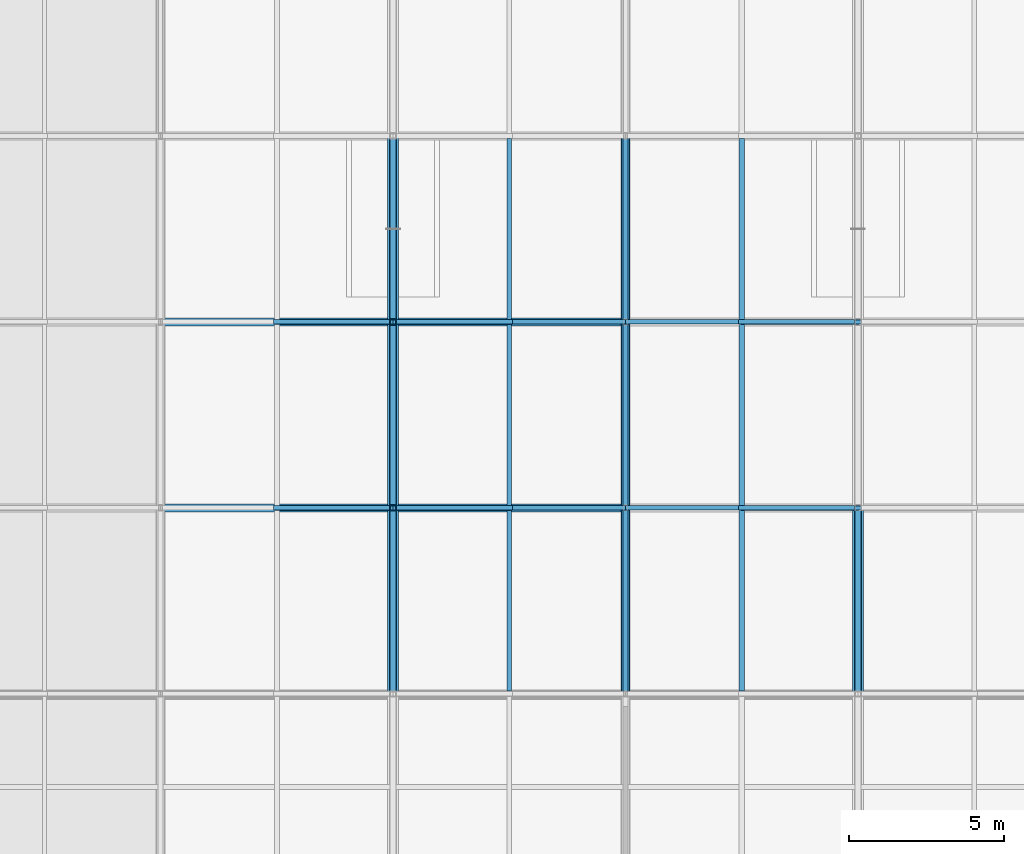
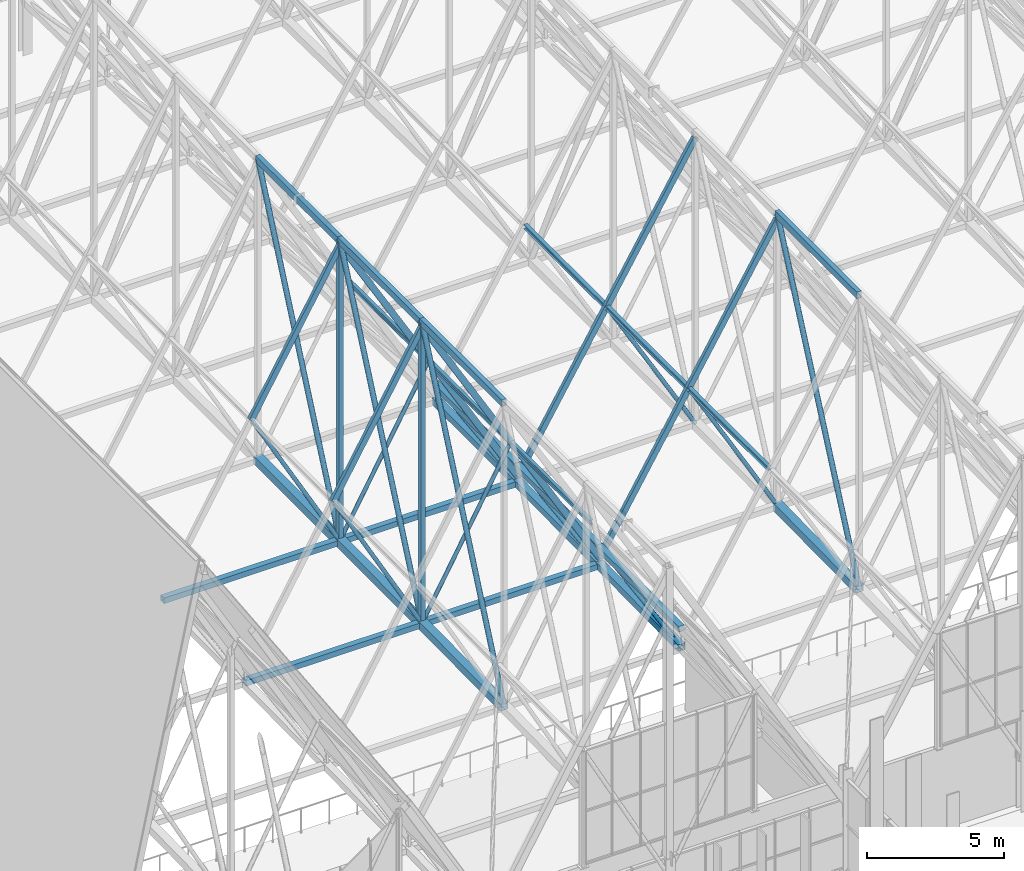
# One storey, part 147 of 324: 41 members, 6 beams.
"""IFC4 building model written with IfcOpenShell, lengths in metres."""

from ifc_helpers import new_model, si_unit, direction, frame, origin, origin_2d, place, context, subcontext, project, spatial, hollow_rectangle, hollow_circle, i_section, extrude, material, material_profile, profile_set, type_object, element, save


model = new_model("IFC4")

# Units and contexts
model_context = context("Model", 3, precision=1e-05, world=origin(), true_north=direction((0.0, 1.0)))
body_context = subcontext(model_context, "Body", "Model", "MODEL_VIEW")
ifc_project = project(units=[si_unit("LENGTHUNIT", "METRE"), si_unit("AREAUNIT", "SQUARE_METRE"), si_unit("VOLUMEUNIT", "CUBIC_METRE"), si_unit("PLANEANGLEUNIT", "RADIAN"), si_unit("MASSUNIT", "GRAM", prefix="KILO")], contexts=[model_context])

# Site, building, storey
site_placement = place(None, origin())
site = spatial("IfcSite", under=ifc_project, at=site_placement, CompositionType="ELEMENT")
building_placement = place(site_placement, origin())
building = spatial("IfcBuilding", under=site, at=building_placement, Name="Solvenia Promenade Tram Depot", CompositionType="ELEMENT")
storey_placement = place(building_placement, frame((0.0, 0.0, 4.5)))
storey = spatial("IfcBuildingStorey", under=building, at=storey_placement, Name="L01", CompositionType="ELEMENT", Elevation=4.5)

# Members
ifc_material_1 = material(Name="Structural steel ASTM A500 Gr. C", Category="steel")
ifc_material_profile_1 = material_profile(ifc_material_1, hollow_circle(Radius=0.109619140625, WallThickness=0.008056640625, at=origin_2d()), Name="CHS219.1x8", Category="steel")
ifc_profile_set_1 = profile_set([ifc_material_profile_1], Name="Structural steel ASTM A500 Gr. C")
member_type_1 = type_object("IfcMemberType", Name="Brace-CHS219x8", PredefinedType="BRACE", material=ifc_profile_set_1)
member_1_placement = place(storey_placement, frame((97.5, 78.0, 2.5439453125), z_axis=(0.0, 0.40503717219, 0.914300218279), x_axis=(-1.0, 0.0, 0.0)))
element("IfcMember", 1, at=member_1_placement, inside=storey, type_object=member_type_1, Name="Arched Truss T14 Web Diagonal S03", PredefinedType="BRACE", context=body_context, shape_type="SweptSolid", body=[
    extrude(hollow_circle(Radius=0.109619140625, WallThickness=0.008056640625, at=origin_2d()), origin(), (0.0, 0.0, 1.0), 14.8134765625),
])
member_2_placement = place(storey_placement, frame((97.5, 84.0, 2.614013671875), z_axis=(0.0, 0.406795685275, 0.913519168076), x_axis=(-1.0, 0.0, 0.0)))
element("IfcMember", 2, at=member_2_placement, inside=storey, type_object=member_type_1, Name="Arched Truss T14 Web Diagonal S04", PredefinedType="BRACE", context=body_context, shape_type="SweptSolid", body=[
    extrude(hollow_circle(Radius=0.109619140625, WallThickness=0.008056640625, at=origin_2d()), origin(), (0.0, 0.0, 1.0), 14.74951171875),
])
member_3_placement = place(storey_placement, frame((97.5, 90.0, 2.656005859375), z_axis=(0.0, 0.40785617385, 0.913046188017), x_axis=(-1.0, 0.0, 0.0)))
element("IfcMember", 3, at=member_3_placement, inside=storey, type_object=member_type_1, Name="Arched Truss T14 Web Diagonal S05", PredefinedType="BRACE", context=body_context, shape_type="SweptSolid", body=[
    extrude(hollow_circle(Radius=0.109619140625, WallThickness=0.008056640625, at=origin_2d()), origin(), (0.0, 0.0, 1.0), 14.711181640625),
])
member_4_placement = place(storey_placement, frame((112.5, 78.0, 2.5439453125), z_axis=(0.0, 0.416336188857, 0.909210744464), x_axis=(-1.0, 0.0, 0.0)))
element("IfcMember", 4, at=member_4_placement, inside=storey, type_object=member_type_1, Name="Arched Truss T16 Web Diagonal S03", PredefinedType="BRACE", context=body_context, shape_type="SweptSolid", body=[
    extrude(hollow_circle(Radius=0.109619140625, WallThickness=0.008056640625, at=origin_2d()), origin(), (0.0, 0.0, 1.0), 14.411376953125),
])
ifc_material_profile_2 = material_profile(ifc_material_1, hollow_rectangle(XDim=0.14990234375, YDim=0.25, WallThickness=0.010009765625, at=origin_2d()), Name="HSS250x150x10", Category="steel")
ifc_profile_set_2 = profile_set([ifc_material_profile_2], Name="Structural steel ASTM A500 Gr. C")
member_type_2 = type_object("IfcMemberType", Name="Chord-HSS250x150x10", PredefinedType="CHORD", material=ifc_profile_set_2)
for number, where, z_axis, x_axis, name in (
    (5, (93.75, 84.0, 9.39013671875), (0.501516268578, 0.0, 0.865148214095), (0.0, 1.0, 0.0), "Zigzag Gable 07 West Upper Rafter"),
    (6, (97.5, 84.0, 15.859130859375), (0.501516268578, 0.0, -0.865148214095), (0.0, 1.0, 0.0), "Zigzag Gable 07 East Upper Rafter"),
    (7, (101.25, 84.0, 9.39013671875), (0.501516268578, 0.0, -0.865148214095), (0.0, 1.0, 0.0), "Zigzag Gable 07 East Lower Rafter"),
    (8, (93.75, 90.0, 9.39013671875), (0.501516268578, 0.0, 0.865148214095), (0.0, 1.0, 0.0), "Zigzag Gable 07 West Upper Rafter"),
    (9, (97.5, 90.0, 15.859130859375), (0.501516268578, 0.0, -0.865148214095), (0.0, 1.0, 0.0), "Zigzag Gable 07 East Upper Rafter"),
    (10, (101.25, 90.0, 9.39013671875), (0.501516268578, 0.0, -0.865148214095), (0.0, 1.0, 0.0), "Zigzag Gable 07 East Lower Rafter"),
):
    element("IfcMember", number, at=place(storey_placement, frame(where, z_axis=z_axis, x_axis=x_axis)), inside=storey, type_object=member_type_2, Name=name, PredefinedType="CHORD", context=body_context, shape_type="SweptSolid", body=[
        extrude(hollow_rectangle(XDim=0.14990234375, YDim=0.25, WallThickness=0.010009765625, at=origin_2d()), origin(), (0.0, 0.0, 1.0), 7.477294921875),
    ])
for number, where, z_axis, x_axis, name in (
    (11, (105.0, 84.0, 2.93017578125), (0.514584433357, 0.0, 0.857439712718), (0.0, 1.0, 0.0), "Zigzag Gable 08 West Lower Rafter"),
    (12, (108.75, 84.0, 9.1787109375), (0.514584433357, 0.0, 0.857439712718), (0.0, 1.0, 0.0), "Zigzag Gable 08 West Upper Rafter"),
    (13, (105.0, 90.0, 2.93017578125), (0.514584433357, 0.0, 0.857439712718), (0.0, 1.0, 0.0), "Zigzag Gable 08 West Lower Rafter"),
    (14, (108.75, 90.0, 9.1787109375), (0.514584433357, 0.0, 0.857439712718), (0.0, 1.0, 0.0), "Zigzag Gable 08 West Upper Rafter"),
):
    element("IfcMember", number, at=place(storey_placement, frame(where, z_axis=z_axis, x_axis=x_axis)), inside=storey, type_object=member_type_2, Name=name, PredefinedType="CHORD", context=body_context, shape_type="SweptSolid", body=[
        extrude(hollow_rectangle(XDim=0.14990234375, YDim=0.25, WallThickness=0.010009765625, at=origin_2d()), origin(), (0.0, 0.0, 1.0), 7.287353515625),
    ])
ifc_material_profile_3 = material_profile(ifc_material_1, hollow_rectangle(XDim=0.25, YDim=0.25, WallThickness=0.010009765625, at=origin_2d()), Name="HSS250x250x10", Category="steel")
ifc_profile_set_3 = profile_set([ifc_material_profile_3], Name="Structural steel ASTM A500 Gr. C")
member_type_3 = type_object("IfcMemberType", Name="Chord-HSS250x250x10", PredefinedType="CHORD", material=ifc_profile_set_3)
for number, where, z_axis, x_axis, name in (
    (15, (105.0, 78.0, 3.3798828125), (0.0, 1.0, 0.0), (-1.0, 0.0, 0.0), "Arched Truss T15 Upper Chord S03"),
    (16, (105.0, 84.0, 3.3798828125), (0.0, 1.0, 0.0), (-1.0, 0.0, 0.0), "Arched Truss T15 Upper Chord S04"),
    (17, (105.0, 90.0, 3.3798828125), (0.0, 1.0, 0.0), (-1.0, 0.0, 0.0), "Arched Truss T15 Upper Chord S05"),
):
    element("IfcMember", number, at=place(storey_placement, frame(where, z_axis=z_axis, x_axis=x_axis)), inside=storey, type_object=member_type_3, Name=name, PredefinedType="CHORD", context=body_context, shape_type="SweptSolid", body=[
        extrude(hollow_rectangle(XDim=0.25, YDim=0.25, WallThickness=0.010009765625, at=origin_2d()), origin(), (0.0, 0.0, 1.0), 6.0),
    ])
for number, where, z_axis, x_axis, name in (
    (18, (90.0, 84.0, 2.614013671875), (1.0, 0.0, 0.0), (0.0, 1.0, 0.0), "Bottom-Chord Catenary Lateral Tie 057"),
    (19, (90.0, 90.0, 2.656005859375), (1.0, 0.0, 0.0), (0.0, 1.0, 0.0), "Bottom-Chord Catenary Lateral Tie 058"),
):
    element("IfcMember", number, at=place(storey_placement, frame(where, z_axis=z_axis, x_axis=x_axis)), inside=storey, type_object=member_type_3, Name=name, PredefinedType="CHORD", context=body_context, shape_type="SweptSolid", body=[
        extrude(hollow_rectangle(XDim=0.25, YDim=0.25, WallThickness=0.010009765625, at=origin_2d()), origin(), (0.0, 0.0, 1.0), 15.0),
    ])
ifc_material_profile_4 = material_profile(ifc_material_1, hollow_rectangle(XDim=0.199951171875, YDim=0.300048828125, WallThickness=0.012451171875, at=origin_2d()), Name="HSS300x200x12.5", Category="steel")
ifc_profile_set_4 = profile_set([ifc_material_profile_4], Name="Structural steel ASTM A500 Gr. C")
member_type_4 = type_object("IfcMemberType", Name="Chord-HSS300x200x12", PredefinedType="CHORD", material=ifc_profile_set_4)
for number, where, z_axis, x_axis, name in (
    (20, (97.5, 78.0, 16.087890625), (0.0, 1.0, 0.0), (-1.0, 0.0, 0.0), "Arched Truss T14 Upper Chord S03"),
    (21, (97.5, 84.0, 16.087890625), (0.0, 1.0, 0.0), (-1.0, 0.0, 0.0), "Arched Truss T14 Upper Chord S04"),
    (22, (97.5, 90.0, 16.087890625), (0.0, 1.0, 0.0), (-1.0, 0.0, 0.0), "Arched Truss T14 Upper Chord S05"),
    (23, (112.5, 78.0, 15.64697265625), (0.0, 1.0, 0.0), (-1.0, 0.0, 0.0), "Arched Truss T16 Upper Chord S03"),
):
    element("IfcMember", number, at=place(storey_placement, frame(where, z_axis=z_axis, x_axis=x_axis)), inside=storey, type_object=member_type_4, Name=name, PredefinedType="CHORD", context=body_context, shape_type="SweptSolid", body=[
        extrude(hollow_rectangle(XDim=0.199951171875, YDim=0.300048828125, WallThickness=0.012451171875, at=origin_2d()), origin(), (0.0, 0.0, 1.0), 6.0),
    ])
ifc_material_profile_5 = material_profile(ifc_material_1, hollow_rectangle(XDim=0.300048828125, YDim=0.300048828125, WallThickness=0.012451171875, at=origin_2d()), Name="HSS300x300x12.5", Category="steel")
ifc_profile_set_5 = profile_set([ifc_material_profile_5], Name="Structural steel ASTM A500 Gr. C")
member_type_5 = type_object("IfcMemberType", Name="Chord-HSS300x300x12", PredefinedType="CHORD", material=ifc_profile_set_5)
member_5_placement = place(storey_placement, frame((105.0, 78.0, 2.5439453125), z_axis=(0.0, 0.999931818432, 0.011677263667), x_axis=(-1.0, 0.0, 0.0)))
element("IfcMember", 24, at=member_5_placement, inside=storey, type_object=member_type_5, Name="Arched Truss T15 Bottom Chord S03", PredefinedType="CHORD", context=body_context, shape_type="SweptSolid", body=[
    extrude(hollow_rectangle(XDim=0.300048828125, YDim=0.300048828125, WallThickness=0.012451171875, at=origin_2d()), origin(), (0.0, 0.0, 1.0), 6.00048828125),
])
member_6_placement = place(storey_placement, frame((105.0, 84.0, 2.614013671875), z_axis=(0.0, 0.999975510013, 0.006998526519), x_axis=(-1.0, 0.0, 0.0)))
element("IfcMember", 25, at=member_6_placement, inside=storey, type_object=member_type_5, Name="Arched Truss T15 Bottom Chord S04", PredefinedType="CHORD", context=body_context, shape_type="SweptSolid", body=[
    extrude(hollow_rectangle(XDim=0.300048828125, YDim=0.300048828125, WallThickness=0.012451171875, at=origin_2d()), origin(), (0.0, 0.0, 1.0), 6.000244140625),
])
member_7_placement = place(storey_placement, frame((105.0, 90.0, 2.656005859375), z_axis=(0.0, 0.999997310351, 0.002319329699), x_axis=(-1.0, 0.0, 0.0)))
element("IfcMember", 26, at=member_7_placement, inside=storey, type_object=member_type_5, Name="Arched Truss T15 Bottom Chord S05", PredefinedType="CHORD", context=body_context, shape_type="SweptSolid", body=[
    extrude(hollow_rectangle(XDim=0.300048828125, YDim=0.300048828125, WallThickness=0.012451171875, at=origin_2d()), origin(), (0.0, 0.0, 1.0), 6.0),
])
ifc_material_profile_6 = material_profile(ifc_material_1, hollow_rectangle(XDim=0.35009765625, YDim=0.35009765625, WallThickness=0.01611328125, at=origin_2d()), Name="HSS350x350x16", Category="steel")
ifc_profile_set_6 = profile_set([ifc_material_profile_6], Name="Structural steel ASTM A500 Gr. C")
member_type_6 = type_object("IfcMemberType", Name="Chord-HSS350x350x16", PredefinedType="CHORD", material=ifc_profile_set_6)
member_8_placement = place(storey_placement, frame((97.5, 78.0, 2.5439453125), z_axis=(0.0, 0.999931818432, 0.011677263667), x_axis=(-1.0, 0.0, 0.0)))
element("IfcMember", 27, at=member_8_placement, inside=storey, type_object=member_type_6, Name="Arched Truss T14 Bottom Chord S03", PredefinedType="CHORD", context=body_context, shape_type="SweptSolid", body=[
    extrude(hollow_rectangle(XDim=0.35009765625, YDim=0.35009765625, WallThickness=0.01611328125, at=origin_2d()), origin(), (0.0, 0.0, 1.0), 6.00048828125),
])
member_9_placement = place(storey_placement, frame((97.5, 84.0, 2.614013671875), z_axis=(0.0, 0.999975510013, 0.006998526519), x_axis=(-1.0, 0.0, 0.0)))
element("IfcMember", 28, at=member_9_placement, inside=storey, type_object=member_type_6, Name="Arched Truss T14 Bottom Chord S04", PredefinedType="CHORD", context=body_context, shape_type="SweptSolid", body=[
    extrude(hollow_rectangle(XDim=0.35009765625, YDim=0.35009765625, WallThickness=0.01611328125, at=origin_2d()), origin(), (0.0, 0.0, 1.0), 6.000244140625),
])
member_10_placement = place(storey_placement, frame((97.5, 90.0, 2.656005859375), z_axis=(0.0, 0.999997310351, 0.002319329699), x_axis=(-1.0, 0.0, 0.0)))
element("IfcMember", 29, at=member_10_placement, inside=storey, type_object=member_type_6, Name="Arched Truss T14 Bottom Chord S05", PredefinedType="CHORD", context=body_context, shape_type="SweptSolid", body=[
    extrude(hollow_rectangle(XDim=0.35009765625, YDim=0.35009765625, WallThickness=0.01611328125, at=origin_2d()), origin(), (0.0, 0.0, 1.0), 6.0),
])
member_11_placement = place(storey_placement, frame((112.5, 78.0, 2.5439453125), z_axis=(0.0, 0.999931818432, 0.011677263667), x_axis=(-1.0, 0.0, 0.0)))
element("IfcMember", 30, at=member_11_placement, inside=storey, type_object=member_type_6, Name="Arched Truss T16 Bottom Chord S03", PredefinedType="CHORD", context=body_context, shape_type="SweptSolid", body=[
    extrude(hollow_rectangle(XDim=0.35009765625, YDim=0.35009765625, WallThickness=0.01611328125, at=origin_2d()), origin(), (0.0, 0.0, 1.0), 6.00048828125),
])
ifc_material_profile_7 = material_profile(ifc_material_1, hollow_rectangle(XDim=0.199951171875, YDim=0.199951171875, WallThickness=0.010009765625, at=origin_2d()), Name="HSS200x200x10", Category="steel")
ifc_profile_set_7 = profile_set([ifc_material_profile_7], Name="Structural steel ASTM A500 Gr. C")
member_type_7 = type_object("IfcMemberType", Name="Post-HSS200x200x10", PredefinedType="POST", material=ifc_profile_set_7)
member_12_placement = place(storey_placement, frame((97.5, 84.0, 2.614013671875), z_axis=(0.0, 0.0, 1.0), x_axis=(1.0, 0.0, 0.0)))
element("IfcMember", 31, at=member_12_placement, inside=storey, type_object=member_type_7, Name="Arched Truss T14 Web Post S03", PredefinedType="POST", context=body_context, shape_type="SweptSolid", body=[
    extrude(hollow_rectangle(XDim=0.199951171875, YDim=0.199951171875, WallThickness=0.010009765625, at=origin_2d()), origin(), (0.0, 0.0, 1.0), 13.473876953125),
])
member_13_placement = place(storey_placement, frame((97.5, 90.0, 2.656005859375), z_axis=(0.0, 0.0, 1.0), x_axis=(1.0, 0.0, 0.0)))
element("IfcMember", 32, at=member_13_placement, inside=storey, type_object=member_type_7, Name="Arched Truss T14 Web Post S04", PredefinedType="POST", context=body_context, shape_type="SweptSolid", body=[
    extrude(hollow_rectangle(XDim=0.199951171875, YDim=0.199951171875, WallThickness=0.010009765625, at=origin_2d()), origin(), (0.0, 0.0, 1.0), 13.431884765625),
])

# Beams
ifc_material_2 = material(Name="Structural steel ASTM A992 Gr. 50", Category="steel")
ifc_material_profile_8 = material_profile(ifc_material_2, i_section(OverallWidth=0.133056640625, OverallDepth=0.20703125, WebThickness=0.005859375, FlangeThickness=0.00830078125, FilletRadius=0.009033203125, at=origin_2d()), Name="W200x27", Category="steel")
ifc_profile_set_8 = profile_set([ifc_material_profile_8], Name="Structural steel ASTM A992 Gr. 50")
beam_type_1 = type_object("IfcBeamType", Name="Purlin-W200x27", PredefinedType="USERDEFINED", material=ifc_profile_set_8)
for number, where, z_axis, x_axis, name in (
    (33, (101.25, 78.0849609375, 9.375732421875), (0.0, 1.0, 0.0), (-1.0, 0.0, 0.0), "Gable Roof Purlin E-0126"),
    (34, (101.25, 84.0849609375, 9.375732421875), (0.0, 1.0, 0.0), (-1.0, 0.0, 0.0), "Gable Roof Purlin E-0128"),
    (35, (101.25, 90.0849609375, 9.375732421875), (0.0, 1.0, 0.0), (-1.0, 0.0, 0.0), "Gable Roof Purlin E-0130"),
):
    element("IfcBeam", number, at=place(storey_placement, frame(where, z_axis=z_axis, x_axis=x_axis)), inside=storey, type_object=beam_type_1, Name=name, ObjectType="PURLIN", PredefinedType="USERDEFINED", context=body_context, shape_type="SweptSolid", body=[
        extrude(i_section(OverallWidth=0.133056640625, OverallDepth=0.20703125, WebThickness=0.005859375, FlangeThickness=0.00830078125, FilletRadius=0.009033203125, at=origin_2d()), origin(), (0.0, 0.0, 1.0), 5.830078125),
    ])
ifc_material_profile_9 = material_profile(ifc_material_2, i_section(OverallWidth=0.1650390625, OverallDepth=0.200927734375, WebThickness=0.006103515625, FlangeThickness=0.01025390625, FilletRadius=0.010009765625, at=origin_2d()), Name="W200x36", Category="steel")
ifc_profile_set_9 = profile_set([ifc_material_profile_9], Name="Structural steel ASTM A992 Gr. 50")
beam_type_2 = type_object("IfcBeamType", Name="Purlin-W200x36", PredefinedType="USERDEFINED", material=ifc_profile_set_9)
for number, where, z_axis, x_axis, name in (
    (36, (108.75, 78.0849609375, 9.169677734375), (0.0, 1.0, 0.0), (-1.0, 0.0, 0.0), "Gable Roof Purlin W-0145"),
    (37, (108.75, 84.0849609375, 9.169677734375), (0.0, 1.0, 0.0), (-1.0, 0.0, 0.0), "Gable Roof Purlin W-0147"),
    (38, (108.75, 90.0849609375, 9.169677734375), (0.0, 1.0, 0.0), (-1.0, 0.0, 0.0), "Gable Roof Purlin W-0149"),
):
    element("IfcBeam", number, at=place(storey_placement, frame(where, z_axis=z_axis, x_axis=x_axis)), inside=storey, type_object=beam_type_2, Name=name, ObjectType="PURLIN", PredefinedType="USERDEFINED", context=body_context, shape_type="SweptSolid", body=[
        extrude(i_section(OverallWidth=0.1650390625, OverallDepth=0.200927734375, WebThickness=0.006103515625, FlangeThickness=0.01025390625, FilletRadius=0.010009765625, at=origin_2d()), origin(), (0.0, 0.0, 1.0), 5.830078125),
    ])

# Members
ifc_material_profile_10 = material_profile(ifc_material_1, hollow_circle(Radius=0.084228515625, WallThickness=0.008056640625, at=origin_2d()), Name="CHS168.3x8", Category="steel")
ifc_profile_set_10 = profile_set([ifc_material_profile_10], Name="Structural steel ASTM A500 Gr. C")
member_type_8 = type_object("IfcMemberType", Name="WebDiag-CHS168x8", PredefinedType="BRACE", material=ifc_profile_set_10)
member_14_placement = place(storey_placement, frame((105.0, 78.0, 2.5439453125), z_axis=(0.0, 0.990433608353, 0.13799009908), x_axis=(-1.0, 0.0, 0.0)))
element("IfcMember", 39, at=member_14_placement, inside=storey, type_object=member_type_8, Name="Arched Truss T15 Web Diagonal S03", PredefinedType="BRACE", context=body_context, shape_type="SweptSolid", body=[
    extrude(hollow_circle(Radius=0.084228515625, WallThickness=0.008056640625, at=origin_2d()), origin(), (0.0, 0.0, 1.0), 6.057861328125),
])
member_15_placement = place(storey_placement, frame((105.0, 84.0, 2.614013671875), z_axis=(0.0, 0.991951613347, 0.126617521609), x_axis=(-1.0, 0.0, 0.0)))
element("IfcMember", 40, at=member_15_placement, inside=storey, type_object=member_type_8, Name="Arched Truss T15 Web Diagonal S04", PredefinedType="BRACE", context=body_context, shape_type="SweptSolid", body=[
    extrude(hollow_circle(Radius=0.084228515625, WallThickness=0.008056640625, at=origin_2d()), origin(), (0.0, 0.0, 1.0), 6.048583984375),
])
member_16_placement = place(storey_placement, frame((105.0, 90.0, 2.656005859375), z_axis=(0.0, 0.992800749036, 0.119777596879), x_axis=(-1.0, 0.0, 0.0)))
element("IfcMember", 41, at=member_16_placement, inside=storey, type_object=member_type_8, Name="Arched Truss T15 Web Diagonal S05", PredefinedType="BRACE", context=body_context, shape_type="SweptSolid", body=[
    extrude(hollow_circle(Radius=0.084228515625, WallThickness=0.008056640625, at=origin_2d()), origin(), (0.0, 0.0, 1.0), 6.04345703125),
])
for number, where, z_axis, x_axis, name in (
    (42, (97.5, 84.0, 2.614013671875), (-0.484210311814, 0.0, 0.874951640911), (0.0, -1.0, 0.0), "Zigzag Gable 07 West Knee Strut"),
    (43, (97.5, 84.0, 2.614013671875), (0.484210311814, 0.0, 0.874951640911), (0.0, 1.0, 0.0), "Zigzag Gable 07 East Knee Strut"),
):
    element("IfcMember", number, at=place(storey_placement, frame(where, z_axis=z_axis, x_axis=x_axis)), inside=storey, type_object=member_type_8, Name=name, PredefinedType="BRACE", context=body_context, shape_type="SweptSolid", body=[
        extrude(hollow_circle(Radius=0.084228515625, WallThickness=0.008056640625, at=origin_2d()), origin(), (0.0, 0.0, 1.0), 7.74462890625),
    ])
for number, where, z_axis, x_axis, name in (
    (44, (97.5, 90.0, 2.656005859375), (-0.486516718868, 0.0, 0.873671266702), (0.0, -1.0, 0.0), "Zigzag Gable 07 West Knee Strut"),
    (45, (97.5, 90.0, 2.656005859375), (0.486516718868, 0.0, 0.873671266702), (0.0, 1.0, 0.0), "Zigzag Gable 07 East Knee Strut"),
):
    element("IfcMember", number, at=place(storey_placement, frame(where, z_axis=z_axis, x_axis=x_axis)), inside=storey, type_object=member_type_8, Name=name, PredefinedType="BRACE", context=body_context, shape_type="SweptSolid", body=[
        extrude(hollow_circle(Radius=0.084228515625, WallThickness=0.008056640625, at=origin_2d()), origin(), (0.0, 0.0, 1.0), 7.707763671875),
    ])
member_17_placement = place(storey_placement, frame((112.5, 84.0, 2.614013671875), z_axis=(-0.496013737424, 0.0, 0.868314673541), x_axis=(0.0, -1.0, 0.0)))
element("IfcMember", 46, at=member_17_placement, inside=storey, type_object=member_type_8, Name="Zigzag Gable 08 West Knee Strut", PredefinedType="BRACE", context=body_context, shape_type="SweptSolid", body=[
    extrude(hollow_circle(Radius=0.084228515625, WallThickness=0.008056640625, at=origin_2d()), origin(), (0.0, 0.0, 1.0), 7.560302734375),
])
member_18_placement = place(storey_placement, frame((112.5, 90.0, 2.656005859375), z_axis=(-0.498415644551, 0.0, 0.866938201527), x_axis=(0.0, -1.0, 0.0)))
element("IfcMember", 47, at=member_18_placement, inside=storey, type_object=member_type_8, Name="Zigzag Gable 08 West Knee Strut", PredefinedType="BRACE", context=body_context, shape_type="SweptSolid", body=[
    extrude(hollow_circle(Radius=0.084228515625, WallThickness=0.008056640625, at=origin_2d()), origin(), (0.0, 0.0, 1.0), 7.52392578125),
])

save(model, "model.ifc")
